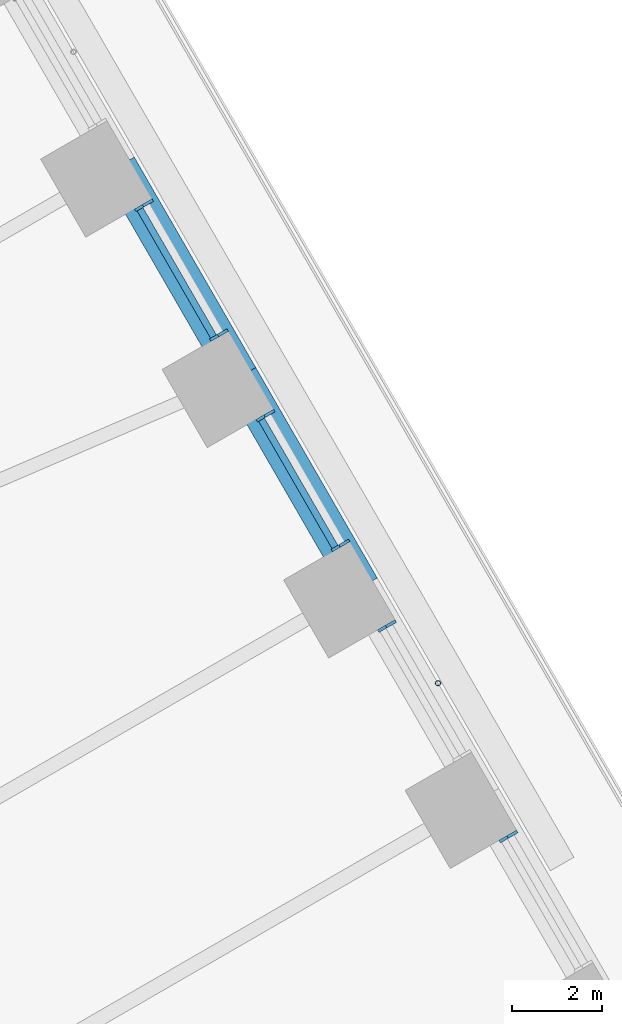
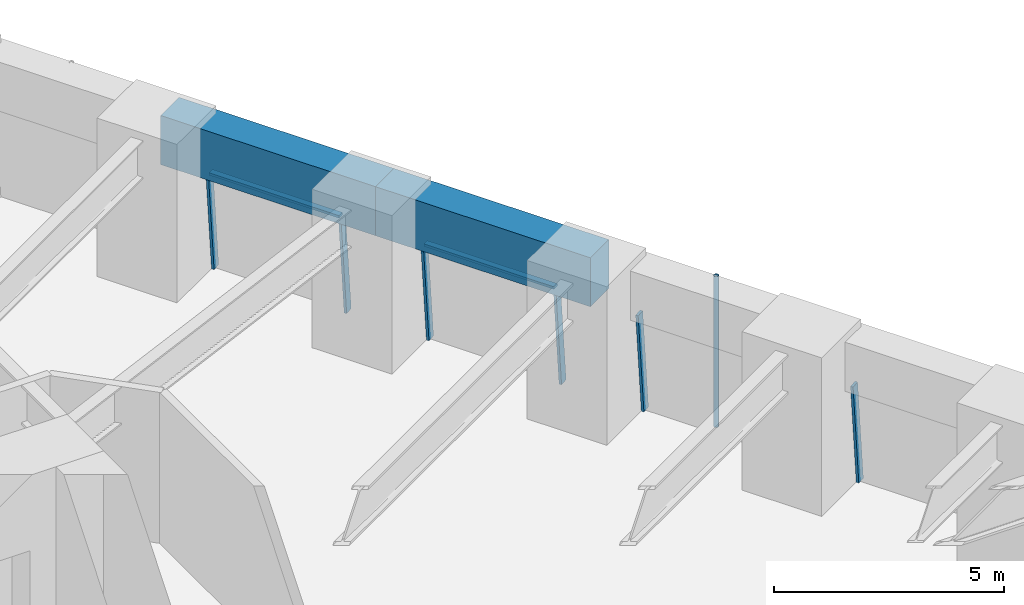
# One storey, part 13 of 23: 9 members, 2 beams, 4 elements without a shape of their own.
"""IFC4 building model written with IfcOpenShell, lengths in metres."""

from ifc_helpers import new_model, si_unit, direction, frame, origin, origin_2d, place, context, subcontext, project, spatial, rectangle, hollow_circle, extrude, material, material_profile, profile_set, type_object, element, aggregate, save


model = new_model("IFC4")

# Units and contexts
model_context = context("Model", 3, precision=1e-05, world=origin(), true_north=direction((0.0, 1.0)))
body_context = subcontext(model_context, "Body", "Model", "MODEL_VIEW")
ifc_project = project(units=[si_unit("LENGTHUNIT", "METRE"), si_unit("AREAUNIT", "SQUARE_METRE"), si_unit("VOLUMEUNIT", "CUBIC_METRE"), si_unit("PLANEANGLEUNIT", "RADIAN"), si_unit("MASSUNIT", "GRAM", prefix="KILO")], contexts=[model_context])

# Site, building, storey
site_placement = place(None, origin())
site = spatial("IfcSite", under=ifc_project, at=site_placement, CompositionType="ELEMENT")
building_placement = place(site_placement, origin())
building = spatial("IfcBuilding", under=site, at=building_placement, Name="Tarfa Lantern Tower", CompositionType="ELEMENT")
storey_placement = place(building_placement, frame((0.0, 0.0, 78.10009765625)))
storey = spatial("IfcBuildingStorey", under=building, at=storey_placement, Name="L17", CompositionType="ELEMENT", Elevation=78.10009765625)

# Curtain wall, member
ifc_material_1 = material(Name="Aluminium framed curtain wall", Category="aluminium")
curtain_wall_type = type_object("IfcCurtainWallType", Name="CW1 CANTED GLAZING LOW ZONE 2700", PredefinedType="USERDEFINED", material=ifc_material_1)
curtain_wall_1_placement = place(storey_placement, origin())
curtain_wall_1 = element("IfcCurtainWall", 1, at=curtain_wall_1_placement, inside=storey, type_object=curtain_wall_type, Name="CW1 NE L17", ObjectType="CURTAIN WALL", PredefinedType="USERDEFINED")
ifc_material_2 = material(Name="Aluminium mullion", Category="aluminium")
ifc_material_profile_1 = material_profile(ifc_material_2, rectangle(XDim=0.06494140625, YDim=0.199951171875, at=origin_2d()), Name="AL MULLION 65x200")
ifc_profile_set_1 = profile_set([ifc_material_profile_1], Name="Aluminium mullion")
member_type_1 = type_object("IfcMemberType", Name="CWM1 MULLION 65x200", PredefinedType="MULLION", material=ifc_profile_set_1)
member_1_placement = place(storey_placement, frame((35.26318359375, 6.722412109375, 0.0), z_axis=(-0.07986442134, -0.046099868913, 0.99573916077), x_axis=(0.499919672301, -0.866071776036, 0.0)))
member_1 = element("IfcMember", 2, at=member_1_placement, type_object=member_type_1, Name="CW1 mullion 2", PredefinedType="MULLION", context=body_context, shape_type="SweptSolid", body=[
    extrude(rectangle(XDim=0.06494140625, YDim=0.199951171875, at=origin_2d()), origin(), (0.0, 0.0, 1.0), 2.71142578125),
])
aggregate(curtain_wall_1, [member_1])

curtain_wall_2_placement = place(storey_placement, origin())
curtain_wall_2 = element("IfcCurtainWall", 3, at=curtain_wall_2_placement, inside=storey, type_object=curtain_wall_type, Name="CW1 NE L17", ObjectType="CURTAIN WALL", PredefinedType="USERDEFINED")
member_2_placement = place(storey_placement, frame((32.56884765625, 11.38916015625, 0.0), z_axis=(-0.07986442134, -0.046099868913, 0.99573916077), x_axis=(0.499919672301, -0.866071776036, 0.0)))
member_2 = element("IfcMember", 4, at=member_2_placement, type_object=member_type_1, Name="CW1 mullion 2", PredefinedType="MULLION", context=body_context, shape_type="SweptSolid", body=[
    extrude(rectangle(XDim=0.06494140625, YDim=0.199951171875, at=origin_2d()), origin(), (0.0, 0.0, 1.0), 2.71142578125),
])
aggregate(curtain_wall_2, [member_2])

# Curtain wall, members
curtain_wall_3_placement = place(storey_placement, origin())
curtain_wall_3 = element("IfcCurtainWall", 5, at=curtain_wall_3_placement, inside=storey, type_object=curtain_wall_type, Name="CW1 NE L17", ObjectType="CURTAIN WALL", PredefinedType="USERDEFINED")
member_3_placement = place(storey_placement, frame((31.536376953125, 13.177490234375, 0.0), z_axis=(-0.07986442134, -0.046099868913, 0.99573916077), x_axis=(0.499919672301, -0.866071776036, 0.0)))
member_3 = element("IfcMember", 6, at=member_3_placement, type_object=member_type_1, Name="CW1 mullion 1", PredefinedType="MULLION", context=body_context, shape_type="SweptSolid", body=[
    extrude(rectangle(XDim=0.06494140625, YDim=0.199951171875, at=origin_2d()), origin(), (0.0, 0.0, 1.0), 2.71142578125),
])
member_4_placement = place(storey_placement, frame((29.87451171875, 16.055908203125, 0.0), z_axis=(-0.07986442134, -0.046099868913, 0.99573916077), x_axis=(0.499919672301, -0.866071776036, 0.0)))
member_4 = element("IfcMember", 7, at=member_4_placement, type_object=member_type_1, Name="CW1 mullion 2", PredefinedType="MULLION", context=body_context, shape_type="SweptSolid", body=[
    extrude(rectangle(XDim=0.06494140625, YDim=0.199951171875, at=origin_2d()), origin(), (0.0, 0.0, 1.0), 2.71142578125),
])

curtain_wall_4_placement = place(storey_placement, origin())
curtain_wall_4 = element("IfcCurtainWall", 8, at=curtain_wall_4_placement, inside=storey, type_object=curtain_wall_type, Name="CW1 NE L17", ObjectType="CURTAIN WALL", PredefinedType="USERDEFINED")
member_5_placement = place(storey_placement, frame((28.842041015625, 17.84423828125, 0.0), z_axis=(-0.07986442134, -0.046099868913, 0.99573916077), x_axis=(0.499919672301, -0.866071776036, 0.0)))
member_5 = element("IfcMember", 9, at=member_5_placement, type_object=member_type_1, Name="CW1 mullion 1", PredefinedType="MULLION", context=body_context, shape_type="SweptSolid", body=[
    extrude(rectangle(XDim=0.06494140625, YDim=0.199951171875, at=origin_2d()), origin(), (0.0, 0.0, 1.0), 2.71142578125),
])
member_6_placement = place(storey_placement, frame((27.18017578125, 20.722412109375, 0.0), z_axis=(-0.07986442134, -0.046099868913, 0.99573916077), x_axis=(0.499919672301, -0.866071776036, 0.0)))
member_6 = element("IfcMember", 10, at=member_6_placement, type_object=member_type_1, Name="CW1 mullion 2", PredefinedType="MULLION", context=body_context, shape_type="SweptSolid", body=[
    extrude(rectangle(XDim=0.06494140625, YDim=0.199951171875, at=origin_2d()), origin(), (0.0, 0.0, 1.0), 2.71142578125),
])

# Member
ifc_material_3 = material(Name="Aluminium transom", Category="aluminium")
ifc_material_profile_2 = material_profile(ifc_material_3, rectangle(XDim=0.14990234375, YDim=0.06494140625, at=origin_2d()), Name="AL TRANSOM 150x65")
ifc_profile_set_2 = profile_set([ifc_material_profile_2], Name="Aluminium transom")
member_type_2 = type_object("IfcMemberType", Name="CWT1 TRANSOM 150x65", PredefinedType="USERDEFINED", material=ifc_profile_set_2)
member_7_placement = place(storey_placement, frame((31.30615234375, 13.082275390625, 2.66748046875), z_axis=(-0.500022939057, 0.866012159509, 0.0), x_axis=(-0.866012159509, -0.500022939057, 0.0)))
member_7 = element("IfcMember", 11, at=member_7_placement, type_object=member_type_2, Name="CW1 transom 1.2", ObjectType="TRANSOM", PredefinedType="USERDEFINED", context=body_context, shape_type="SweptSolid", body=[
    extrude(rectangle(XDim=0.14990234375, YDim=0.06494140625, at=origin_2d()), origin(), (0.0, 0.0, 1.0), 3.258544921875),
])

aggregate(curtain_wall_3, [member_3, member_4, member_7])

member_8_placement = place(storey_placement, frame((28.61181640625, 17.748779296875, 2.66748046875), z_axis=(-0.499966746847, 0.86604460165, 0.0), x_axis=(-0.86604460165, -0.499966746847, 0.0)))
member_8 = element("IfcMember", 12, at=member_8_placement, type_object=member_type_2, Name="CW1 transom 1.2", ObjectType="TRANSOM", PredefinedType="USERDEFINED", context=body_context, shape_type="SweptSolid", body=[
    extrude(rectangle(XDim=0.14990234375, YDim=0.06494140625, at=origin_2d()), origin(), (0.0, 0.0, 1.0), 3.258544921875),
])

aggregate(curtain_wall_4, [member_5, member_6, member_8])

# Beams
ifc_material_4 = material(Name="Concrete C80/95", Category="concrete")
ifc_material_profile_3 = material_profile(ifc_material_4, rectangle(XDim=0.800048828125, YDim=1.300048828125, at=origin_2d()), Name="RC 800x1300")
ifc_profile_set_3 = profile_set([ifc_material_profile_3], Name="Concrete C80/95")
beam_type = type_object("IfcBeamType", Name="EB1 RC 800x1300", PredefinedType="SPANDREL", material=ifc_profile_set_3)
beam_1_placement = place(storey_placement, frame((31.896728515625, 12.193359375, 3.349853515625), z_axis=(-0.499998287579, 0.866026392449, 0.0), x_axis=(-0.866026392449, -0.499998287579, 0.0)))
element("IfcBeam", 13, at=beam_1_placement, inside=storey, type_object=beam_type, Name="Edge beam NE2", PredefinedType="SPANDREL", context=body_context, shape_type="SweptSolid", body=[
    extrude(rectangle(XDim=0.800048828125, YDim=1.300048828125, at=origin_2d()), origin(), (0.0, 0.0, 1.0), 5.388671875),
])
beam_2_placement = place(storey_placement, frame((29.202392578125, 16.860107421875, 3.349853515625), z_axis=(-0.500017906299, 0.866015065331, 0.0), x_axis=(-0.866015065331, -0.500017906299, 0.0)))
element("IfcBeam", 14, at=beam_2_placement, inside=storey, type_object=beam_type, Name="Edge beam NE3", PredefinedType="SPANDREL", context=body_context, shape_type="SweptSolid", body=[
    extrude(rectangle(XDim=0.800048828125, YDim=1.300048828125, at=origin_2d()), origin(), (0.0, 0.0, 1.0), 5.388427734375),
])

# Member
ifc_material_5 = material(Name="Steel S355", Category="steel")
ifc_material_profile_4 = material_profile(ifc_material_5, hollow_circle(Radius=0.05712890625, WallThickness=0.00634765625, at=origin_2d()), Name="CHS114.3x6.3")
ifc_profile_set_4 = profile_set([ifc_material_profile_4], Name="Steel S355")
member_type_3 = type_object("IfcMemberType", Name="TR1 GREEN WALL TRELLIS CHS114.3x6.3", PredefinedType="USERDEFINED", material=ifc_profile_set_4)
member_9_placement = place(storey_placement, frame((33.59033203125, 10.06005859375, 0.0), z_axis=(0.0, 0.0, 1.0), x_axis=(1.0, 0.0, 0.0)))
element("IfcMember", 15, at=member_9_placement, inside=storey, type_object=member_type_3, Name="Trellis post NE 1", ObjectType="TRELLIS", PredefinedType="USERDEFINED", context=body_context, shape_type="SweptSolid", body=[
    extrude(hollow_circle(Radius=0.05712890625, WallThickness=0.00634765625, at=origin_2d()), origin(), (0.0, 0.0, 1.0), 4.0),
])

save(model, "model.ifc")
